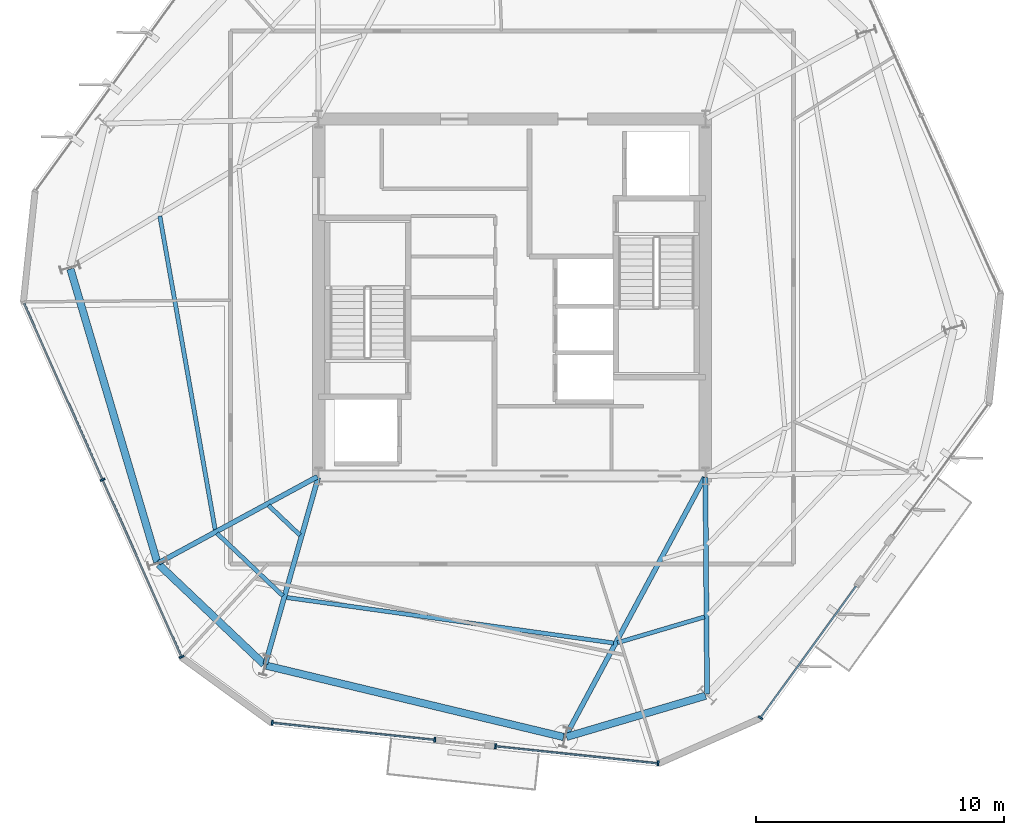
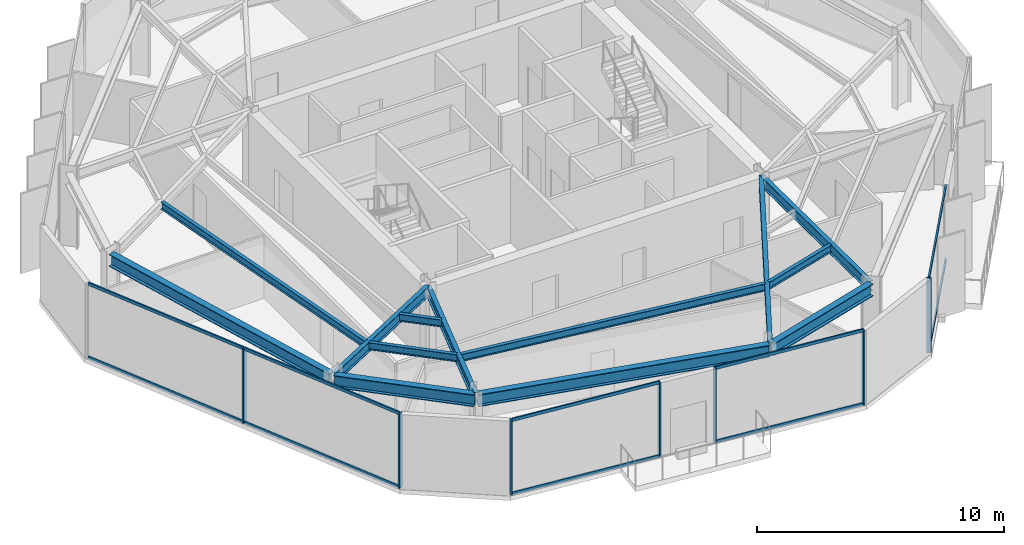
# One storey, part 2 of 12: 17 members, 13 beams, 4 elements without a shape of their own.
"""IFC4 building model written with IfcOpenShell, lengths in metres."""

from ifc_helpers import new_model, si_unit, direction, frame, origin, origin_2d, place, context, subcontext, project, spatial, rectangle, i_section, extrude, material, layer, layer_set, material_profile, profile_set, type_object, element, aggregate, save


model = new_model("IFC4")

# Units and contexts
model_context = context("Model", 3, precision=1e-05, world=origin(), true_north=direction((0.0, 1.0)))
body_context = subcontext(model_context, "Body", "Model", "MODEL_VIEW")
ifc_project = project(units=[si_unit("LENGTHUNIT", "METRE"), si_unit("AREAUNIT", "SQUARE_METRE"), si_unit("VOLUMEUNIT", "CUBIC_METRE"), si_unit("PLANEANGLEUNIT", "RADIAN"), si_unit("MASSUNIT", "GRAM", prefix="KILO")], contexts=[model_context])

# Site, building, storey
site_placement = place(None, origin())
site = spatial("IfcSite", under=ifc_project, at=site_placement, CompositionType="ELEMENT")
building_placement = place(site_placement, origin())
building = spatial("IfcBuilding", under=site, at=building_placement, Name="Kranzbogen Civic Tower", CompositionType="ELEMENT")
storey_placement = place(building_placement, frame((0.0, 0.0, 240.800048828125)))
storey = spatial("IfcBuildingStorey", under=building, at=storey_placement, Name="L58", CompositionType="ELEMENT", Elevation=240.800048828125)

# Curtain wall, members
ifc_material_1 = material(Name="Pale Anodised Aluminium", Category="aluminium")
ifc_layer = layer(ifc_material_1, 0.219970703125, Name="Pale Anodised Aluminium")
ifc_layer_set = layer_set([ifc_layer], Name="Pale Anodised Aluminium")
curtain_wall_type = type_object("IfcCurtainWallType", Name="Zone 3 Stick Curtain Wall System CW-04", PredefinedType="USERDEFINED", material=ifc_layer_set)
curtain_wall_1_placement = place(storey_placement, origin())
curtain_wall_1 = element("IfcCurtainWall", 1, at=curtain_wall_1_placement, inside=storey, type_object=curtain_wall_type, Name="L58 curtain wall CW-L58-F3", ObjectType="STICK CURTAIN WALL", PredefinedType="USERDEFINED")
ifc_material_profile_1 = material_profile(ifc_material_1, rectangle(XDim=0.070068359375, YDim=0.199951171875, at=origin_2d()), Name="ALU-M 70x200")
ifc_profile_set_1 = profile_set([ifc_material_profile_1], Name="Pale Anodised Aluminium")
member_type_1 = type_object("IfcMemberType", Name="Curtain Wall Mullion ALU-M 70x200", PredefinedType="MULLION", material=ifc_profile_set_1)
member_1_placement = place(storey_placement, frame((8.490966796875, 17.6494140625, 0.0), z_axis=(0.0, 0.0, 1.0), x_axis=(0.406811748243, -0.913512014968, 0.0)))
member_1 = element("IfcMember", 2, at=member_1_placement, type_object=member_type_1, Name="CW-04 mullion 2", PredefinedType="MULLION", context=body_context, shape_type="SweptSolid", body=[
    extrude(rectangle(XDim=0.070068359375, YDim=0.199951171875, at=origin_2d()), origin(), (0.0, 0.0, 1.0), 3.699951171875),
])
member_2_placement = place(storey_placement, frame((11.673828125, 10.50244140625, 0.0), z_axis=(0.0, 0.0, 1.0), x_axis=(0.406811748243, -0.913512014968, 0.0)))
member_2 = element("IfcMember", 3, at=member_2_placement, type_object=member_type_1, Name="CW-04 mullion 3", PredefinedType="MULLION", context=body_context, shape_type="SweptSolid", body=[
    extrude(rectangle(XDim=0.070068359375, YDim=0.199951171875, at=origin_2d()), origin(), (0.0, 0.0, 1.0), 3.699951171875),
])

curtain_wall_2_placement = place(storey_placement, origin())
curtain_wall_2 = element("IfcCurtainWall", 4, at=curtain_wall_2_placement, inside=storey, type_object=curtain_wall_type, Name="L58 curtain wall CW-L58-F4-S1", ObjectType="STICK CURTAIN WALL", PredefinedType="USERDEFINED")
member_3_placement = place(storey_placement, frame((15.329833984375, 7.844970703125, 0.0), z_axis=(0.0, 0.0, 1.0), x_axis=(0.994530949802, -0.104442280164, 0.0)))
member_3 = element("IfcMember", 5, at=member_3_placement, type_object=member_type_1, Name="CW-04 mullion 1", PredefinedType="MULLION", context=body_context, shape_type="SweptSolid", body=[
    extrude(rectangle(XDim=0.070068359375, YDim=0.199951171875, at=origin_2d()), origin(), (0.0, 0.0, 1.0), 3.699951171875),
])
member_4_placement = place(storey_placement, frame((21.88818359375, 7.15625, 0.0), z_axis=(0.0, 0.0, 1.0), x_axis=(0.994530949802, -0.104442280164, 0.0)))
member_4 = element("IfcMember", 6, at=member_4_placement, type_object=member_type_1, Name="CW-04 mullion 2", PredefinedType="MULLION", context=body_context, shape_type="SweptSolid", body=[
    extrude(rectangle(XDim=0.070068359375, YDim=0.199951171875, at=origin_2d()), origin(), (0.0, 0.0, 1.0), 3.699951171875),
])

curtain_wall_3_placement = place(storey_placement, origin())
curtain_wall_3 = element("IfcCurtainWall", 7, at=curtain_wall_3_placement, inside=storey, type_object=curtain_wall_type, Name="L58 curtain wall CW-L58-F4-S2", ObjectType="STICK CURTAIN WALL", PredefinedType="USERDEFINED")
member_5_placement = place(storey_placement, frame((24.334716796875, 6.89892578125, 0.0), z_axis=(0.0, 0.0, 1.0), x_axis=(0.994529310189, -0.104457891879, 0.0)))
member_5 = element("IfcMember", 8, at=member_5_placement, type_object=member_type_1, Name="CW-04 mullion 1", PredefinedType="MULLION", context=body_context, shape_type="SweptSolid", body=[
    extrude(rectangle(XDim=0.070068359375, YDim=0.199951171875, at=origin_2d()), origin(), (0.0, 0.0, 1.0), 3.699951171875),
])
member_6_placement = place(storey_placement, frame((30.89208984375, 6.210205078125, 0.0), z_axis=(0.0, 0.0, 1.0), x_axis=(0.994529310189, -0.104457891879, 0.0)))
member_6 = element("IfcMember", 9, at=member_6_placement, type_object=member_type_1, Name="CW-04 mullion 2", PredefinedType="MULLION", context=body_context, shape_type="SweptSolid", body=[
    extrude(rectangle(XDim=0.070068359375, YDim=0.199951171875, at=origin_2d()), origin(), (0.0, 0.0, 1.0), 3.699951171875),
])

# Curtain wall, member
curtain_wall_4_placement = place(storey_placement, origin())
curtain_wall_4 = element("IfcCurtainWall", 10, at=curtain_wall_4_placement, inside=storey, type_object=curtain_wall_type, Name="L58 curtain wall CW-L58-F5-S1", ObjectType="STICK CURTAIN WALL", PredefinedType="USERDEFINED")
member_7_placement = place(storey_placement, frame((35.021728515625, 8.04833984375, 0.0), z_axis=(0.0, 0.0, 1.0), x_axis=(0.587787374231, 0.809015452692, 0.0)))
member_7 = element("IfcMember", 11, at=member_7_placement, type_object=member_type_1, Name="CW-04 mullion 1", PredefinedType="MULLION", context=body_context, shape_type="SweptSolid", body=[
    extrude(rectangle(XDim=0.070068359375, YDim=0.199951171875, at=origin_2d()), origin(), (0.0, 0.0, 1.0), 3.699951171875),
])

# Member
ifc_material_profile_2 = material_profile(ifc_material_1, rectangle(XDim=0.070068359375, YDim=0.14990234375, at=origin_2d()), Name="ALU-T 70x150")
ifc_profile_set_2 = profile_set([ifc_material_profile_2], Name="Pale Anodised Aluminium")
member_type_2 = type_object("IfcMemberType", Name="Curtain Wall Transom ALU-T 70x150", PredefinedType="USERDEFINED", material=ifc_profile_set_2)
member_8_placement = place(storey_placement, frame((5.3203125, 24.769287109375, 0.030029296875), z_axis=(0.406818172924, -0.913509153856, 0.0), x_axis=(0.913509153856, 0.406818172924, 0.0)))
member_8 = element("IfcMember", 12, at=member_8_placement, type_object=member_type_2, Name="CW-04 transom 1.1", ObjectType="TRANSOM", PredefinedType="USERDEFINED", context=body_context, shape_type="SweptSolid", body=[
    extrude(rectangle(XDim=0.070068359375, YDim=0.14990234375, at=origin_2d()), origin(), (0.0, 0.0, 1.0), 7.763671875),
])

member_9_placement = place(storey_placement, frame((5.3203125, 24.769287109375, 3.669921875), z_axis=(0.406818172924, -0.913509153856, 0.0), x_axis=(0.913509153856, 0.406818172924, 0.0)))
member_9 = element("IfcMember", 13, at=member_9_placement, type_object=member_type_2, Name="CW-04 transom 1.2", ObjectType="TRANSOM", PredefinedType="USERDEFINED", context=body_context, shape_type="SweptSolid", body=[
    extrude(rectangle(XDim=0.070068359375, YDim=0.14990234375, at=origin_2d()), origin(), (0.0, 0.0, 1.0), 7.763671875),
])

member_10_placement = place(storey_placement, frame((8.503173828125, 17.6220703125, 0.030029296875), z_axis=(0.406818172924, -0.913509153856, 0.0), x_axis=(0.913509153856, 0.406818172924, 0.0)))
member_10 = element("IfcMember", 14, at=member_10_placement, type_object=member_type_2, Name="CW-04 transom 2.1", ObjectType="TRANSOM", PredefinedType="USERDEFINED", context=body_context, shape_type="SweptSolid", body=[
    extrude(rectangle(XDim=0.070068359375, YDim=0.14990234375, at=origin_2d()), origin(), (0.0, 0.0, 1.0), 7.763671875),
])

member_11_placement = place(storey_placement, frame((8.503173828125, 17.6220703125, 3.669921875), z_axis=(0.406818172924, -0.913509153856, 0.0), x_axis=(0.913509153856, 0.406818172924, 0.0)))
member_11 = element("IfcMember", 15, at=member_11_placement, type_object=member_type_2, Name="CW-04 transom 2.2", ObjectType="TRANSOM", PredefinedType="USERDEFINED", context=body_context, shape_type="SweptSolid", body=[
    extrude(rectangle(XDim=0.070068359375, YDim=0.14990234375, at=origin_2d()), origin(), (0.0, 0.0, 1.0), 7.763671875),
])

aggregate(curtain_wall_1, [member_1, member_2, member_8, member_9, member_10, member_11])

member_12_placement = place(storey_placement, frame((15.359619140625, 7.841796875, 0.030029296875), z_axis=(0.99452876642, -0.104463068895, 0.0), x_axis=(0.104463068895, 0.99452876642, 0.0)))
member_12 = element("IfcMember", 16, at=member_12_placement, type_object=member_type_2, Name="CW-04 transom 1.1", ObjectType="TRANSOM", PredefinedType="USERDEFINED", context=body_context, shape_type="SweptSolid", body=[
    extrude(rectangle(XDim=0.070068359375, YDim=0.14990234375, at=origin_2d()), origin(), (0.0, 0.0, 1.0), 6.534423828125),
])

member_13_placement = place(storey_placement, frame((15.359619140625, 7.841796875, 3.669921875), z_axis=(0.99452876642, -0.104463068895, 0.0), x_axis=(0.104463068895, 0.99452876642, 0.0)))
member_13 = element("IfcMember", 17, at=member_13_placement, type_object=member_type_2, Name="CW-04 transom 1.2", ObjectType="TRANSOM", PredefinedType="USERDEFINED", context=body_context, shape_type="SweptSolid", body=[
    extrude(rectangle(XDim=0.070068359375, YDim=0.14990234375, at=origin_2d()), origin(), (0.0, 0.0, 1.0), 6.534423828125),
])

aggregate(curtain_wall_2, [member_3, member_4, member_12, member_13])

member_14_placement = place(storey_placement, frame((24.36474609375, 6.895751953125, 0.030029296875), z_axis=(0.994530609621, -0.104445519422, 0.0), x_axis=(0.104445519422, 0.994530609621, 0.0)))
member_14 = element("IfcMember", 18, at=member_14_placement, type_object=member_type_2, Name="CW-04 transom 1.1", ObjectType="TRANSOM", PredefinedType="USERDEFINED", context=body_context, shape_type="SweptSolid", body=[
    extrude(rectangle(XDim=0.070068359375, YDim=0.14990234375, at=origin_2d()), origin(), (0.0, 0.0, 1.0), 6.533203125),
])

member_15_placement = place(storey_placement, frame((24.36474609375, 6.895751953125, 3.669921875), z_axis=(0.994530609621, -0.104445519422, 0.0), x_axis=(0.104445519422, 0.994530609621, 0.0)))
member_15 = element("IfcMember", 19, at=member_15_placement, type_object=member_type_2, Name="CW-04 transom 1.2", ObjectType="TRANSOM", PredefinedType="USERDEFINED", context=body_context, shape_type="SweptSolid", body=[
    extrude(rectangle(XDim=0.070068359375, YDim=0.14990234375, at=origin_2d()), origin(), (0.0, 0.0, 1.0), 6.533203125),
])

aggregate(curtain_wall_3, [member_5, member_6, member_14, member_15])

member_16_placement = place(storey_placement, frame((35.039306640625, 8.072509765625, 0.030029296875), z_axis=(0.587776147652, 0.809023609206, 0.0), x_axis=(-0.809023609206, 0.587776147652, 0.0)))
member_16 = element("IfcMember", 20, at=member_16_placement, type_object=member_type_2, Name="CW-04 transom 1.1", ObjectType="TRANSOM", PredefinedType="USERDEFINED", context=body_context, shape_type="SweptSolid", body=[
    extrude(rectangle(XDim=0.070068359375, YDim=0.14990234375, at=origin_2d()), origin(), (0.0, 0.0, 1.0), 6.53369140625),
])

member_17_placement = place(storey_placement, frame((35.039306640625, 8.072509765625, 3.669921875), z_axis=(0.587776147652, 0.809023609206, 0.0), x_axis=(-0.809023609206, 0.587776147652, 0.0)))
member_17 = element("IfcMember", 21, at=member_17_placement, type_object=member_type_2, Name="CW-04 transom 1.2", ObjectType="TRANSOM", PredefinedType="USERDEFINED", context=body_context, shape_type="SweptSolid", body=[
    extrude(rectangle(XDim=0.070068359375, YDim=0.14990234375, at=origin_2d()), origin(), (0.0, 0.0, 1.0), 6.53369140625),
])

aggregate(curtain_wall_4, [member_7, member_16, member_17])

# Beams
ifc_material_2 = material(Name="Steel S355", Category="steel")
ifc_material_profile_3 = material_profile(ifc_material_2, i_section(OverallWidth=0.300048828125, OverallDepth=0.60009765625, WebThickness=0.015380859375, FlangeThickness=0.030029296875, at=origin_2d()), Name="HEB 600")
ifc_profile_set_3 = profile_set([ifc_material_profile_3], Name="Steel S355")
beam_type_1 = type_object("IfcBeamType", Name="Perimeter Tube Spandrel Beam HEB 600", PredefinedType="SPANDREL", material=ifc_profile_set_3)
beam_1_placement = place(storey_placement, frame((10.7509765625, 14.235107421875, 3.39990234375), z_axis=(0.725245206788, -0.688490660816, 0.0), x_axis=(0.688490660816, 0.725245206788, 0.0)))
element("IfcBeam", 22, at=beam_1_placement, inside=storey, type_object=beam_type_1, Name="L58 perimeter spandrel beam 01", PredefinedType="SPANDREL", context=body_context, shape_type="SweptSolid", body=[
    extrude(i_section(OverallWidth=0.300048828125, OverallDepth=0.60009765625, WebThickness=0.015380859375, FlangeThickness=0.030029296875, at=origin_2d()), origin(), (0.0, 0.0, 1.0), 5.85205078125),
])
beam_2_placement = place(storey_placement, frame((15.096923828125, 10.15087890625, 3.39990234375), z_axis=(0.972377592092, -0.233413406637, 0.0), x_axis=(0.233413406637, 0.972377592092, 0.0)))
element("IfcBeam", 23, at=beam_2_placement, inside=storey, type_object=beam_type_1, Name="L58 perimeter spandrel beam 02", PredefinedType="SPANDREL", context=body_context, shape_type="SweptSolid", body=[
    extrude(i_section(OverallWidth=0.300048828125, OverallDepth=0.60009765625, WebThickness=0.015380859375, FlangeThickness=0.030029296875, at=origin_2d()), origin(), (0.0, 0.0, 1.0), 12.32568359375),
])
beam_3_placement = place(storey_placement, frame((27.197998046875, 7.277099609375, 3.39990234375), z_axis=(0.9588296723, 0.283981794341, 0.0), x_axis=(-0.283981794341, 0.9588296723, 0.0)))
element("IfcBeam", 24, at=beam_3_placement, inside=storey, type_object=beam_type_1, Name="L58 perimeter spandrel beam 03", PredefinedType="SPANDREL", context=body_context, shape_type="SweptSolid", body=[
    extrude(i_section(OverallWidth=0.300048828125, OverallDepth=0.60009765625, WebThickness=0.015380859375, FlangeThickness=0.030029296875, at=origin_2d()), origin(), (0.0, 0.0, 1.0), 5.85205078125),
])
beam_4_placement = place(storey_placement, frame((7.18896484375, 26.15087890625, 3.39990234375), z_axis=(0.284064048956, -0.958805306666, 0.0), x_axis=(0.958805306666, 0.284064048956, 0.0)))
element("IfcBeam", 25, at=beam_4_placement, inside=storey, type_object=beam_type_1, Name="L58 perimeter spandrel beam 12", PredefinedType="SPANDREL", context=body_context, shape_type="SweptSolid", body=[
    extrude(i_section(OverallWidth=0.300048828125, OverallDepth=0.60009765625, WebThickness=0.015380859375, FlangeThickness=0.030029296875, at=origin_2d()), origin(), (0.0, 0.0, 1.0), 12.32470703125),
])
ifc_material_profile_4 = material_profile(ifc_material_2, i_section(OverallWidth=0.199951171875, OverallDepth=0.5, WebThickness=0.01025390625, FlangeThickness=0.01611328125, at=origin_2d()), Name="IPE 500")
ifc_profile_set_4 = profile_set([ifc_material_profile_4], Name="Steel S355")
beam_type_2 = type_object("IfcBeamType", Name="Radial Tower Floor Girder IPE 500", PredefinedType="BEAM", material=ifc_profile_set_4)
beam_5_placement = place(storey_placement, frame((10.760009765625, 14.304931640625, 3.449951171875), z_axis=(0.878919430102, 0.476970266777, 0.0), x_axis=(-0.476970266777, 0.878919430102, 0.0)))
element("IfcBeam", 26, at=beam_5_placement, inside=storey, type_object=beam_type_2, Name="L58 radial floor girder 01", PredefinedType="BEAM", context=body_context, shape_type="SweptSolid", body=[
    extrude(i_section(OverallWidth=0.199951171875, OverallDepth=0.5, WebThickness=0.01025390625, FlangeThickness=0.01611328125, at=origin_2d()), origin(), (0.0, 0.0, 1.0), 7.266845703125),
])
beam_6_placement = place(storey_placement, frame((15.054931640625, 10.222900390625, 3.449951171875), z_axis=(0.272455078988, 0.962168503919, 0.0), x_axis=(-0.962168503919, 0.272455078988, 0.0)))
element("IfcBeam", 27, at=beam_6_placement, inside=storey, type_object=beam_type_2, Name="L58 radial floor girder 02", PredefinedType="BEAM", context=body_context, shape_type="SweptSolid", body=[
    extrude(i_section(OverallWidth=0.199951171875, OverallDepth=0.5, WebThickness=0.01025390625, FlangeThickness=0.01611328125, at=origin_2d()), origin(), (0.0, 0.0, 1.0), 7.814697265625),
])
beam_7_placement = place(storey_placement, frame((27.16796875, 7.31298828125, 3.449951171875), z_axis=(0.473160413549, 0.880976289721, 0.0), x_axis=(-0.880976289721, 0.473160413549, 0.0)))
element("IfcBeam", 28, at=beam_7_placement, inside=storey, type_object=beam_type_2, Name="L58 radial floor girder 03", PredefinedType="BEAM", context=body_context, shape_type="SweptSolid", body=[
    extrude(i_section(OverallWidth=0.199951171875, OverallDepth=0.5, WebThickness=0.01025390625, FlangeThickness=0.01611328125, at=origin_2d()), origin(), (0.0, 0.0, 1.0), 11.84375),
])
beam_8_placement = place(storey_placement, frame((32.866943359375, 9.01611328125, 3.449951171875), z_axis=(-0.007667756557, 0.999970602323, 0.0), x_axis=(-0.999970602323, -0.007667756557, 0.0)))
element("IfcBeam", 29, at=beam_8_placement, inside=storey, type_object=beam_type_2, Name="L58 radial floor girder 04", PredefinedType="BEAM", context=body_context, shape_type="SweptSolid", body=[
    extrude(i_section(OverallWidth=0.199951171875, OverallDepth=0.5, WebThickness=0.01025390625, FlangeThickness=0.01611328125, at=origin_2d()), origin(), (0.0, 0.0, 1.0), 8.72412109375),
])
ifc_material_profile_5 = material_profile(ifc_material_2, i_section(OverallWidth=0.169921875, OverallDepth=0.360107421875, WebThickness=0.008056640625, FlangeThickness=0.0126953125, at=origin_2d()), Name="IPE 360")
ifc_profile_set_5 = profile_set([ifc_material_profile_5], Name="Steel S355")
beam_type_3 = type_object("IfcBeamType", Name="Secondary Composite Floor Joist IPE 360", PredefinedType="JOIST", material=ifc_profile_set_5)
beam_9_placement = place(storey_placement, frame((13.10302734375, 15.489990234375, 3.52001953125), z_axis=(0.725300648604, -0.688432254572, 0.0), x_axis=(0.688432254572, 0.725300648604, 0.0)))
element("IfcBeam", 30, at=beam_9_placement, inside=storey, type_object=beam_type_3, Name="L58 secondary floor joist 1.01", PredefinedType="JOIST", context=body_context, shape_type="SweptSolid", body=[
    extrude(i_section(OverallWidth=0.169921875, OverallDepth=0.360107421875, WebThickness=0.008056640625, FlangeThickness=0.0126953125, at=origin_2d()), origin(), (0.0, 0.0, 1.0), 3.661865234375),
])
beam_10_placement = place(storey_placement, frame((15.179931640625, 16.616943359375, 3.52001953125), z_axis=(0.725479767774, -0.688243493649, 0.0), x_axis=(0.688243493649, 0.725479767774, 0.0)))
element("IfcBeam", 31, at=beam_10_placement, inside=storey, type_object=beam_type_3, Name="L58 secondary floor joist 2.01", PredefinedType="JOIST", context=body_context, shape_type="SweptSolid", body=[
    extrude(i_section(OverallWidth=0.169921875, OverallDepth=0.360107421875, WebThickness=0.008056640625, FlangeThickness=0.0126953125, at=origin_2d()), origin(), (0.0, 0.0, 1.0), 1.75048828125),
])
beam_11_placement = place(storey_placement, frame((15.89599609375, 12.903076171875, 3.52001953125), z_axis=(0.990445837232, -0.137902296968, 0.0), x_axis=(0.137902296968, 0.990445837232, 0.0)))
element("IfcBeam", 32, at=beam_11_placement, inside=storey, type_object=beam_type_3, Name="L58 secondary floor joist 1.02", PredefinedType="JOIST", context=body_context, shape_type="SweptSolid", body=[
    extrude(i_section(OverallWidth=0.169921875, OverallDepth=0.360107421875, WebThickness=0.008056640625, FlangeThickness=0.0126953125, at=origin_2d()), origin(), (0.0, 0.0, 1.0), 13.329345703125),
])
beam_12_placement = place(storey_placement, frame((29.25390625, 11.076904296875, 3.52001953125), z_axis=(0.958843823165, 0.283934011309, 0.0), x_axis=(-0.283934011309, 0.958843823165, 0.0)))
element("IfcBeam", 33, at=beam_12_placement, inside=storey, type_object=beam_type_3, Name="L58 secondary floor joist 1.03", PredefinedType="JOIST", context=body_context, shape_type="SweptSolid", body=[
    extrude(i_section(OverallWidth=0.169921875, OverallDepth=0.360107421875, WebThickness=0.008056640625, FlangeThickness=0.0126953125, at=origin_2d()), origin(), (0.0, 0.0, 1.0), 3.662841796875),
])
beam_13_placement = place(storey_placement, frame((10.7958984375, 28.287109375, 3.52001953125), z_axis=(0.173805911364, -0.984779927281, 0.0), x_axis=(0.984779927281, 0.173805911364, 0.0)))
element("IfcBeam", 34, at=beam_13_placement, inside=storey, type_object=beam_type_3, Name="L58 secondary floor joist 1.12", PredefinedType="JOIST", context=body_context, shape_type="SweptSolid", body=[
    extrude(i_section(OverallWidth=0.169921875, OverallDepth=0.360107421875, WebThickness=0.008056640625, FlangeThickness=0.0126953125, at=origin_2d()), origin(), (0.0, 0.0, 1.0), 12.85986328125),
])

save(model, "model.ifc")
